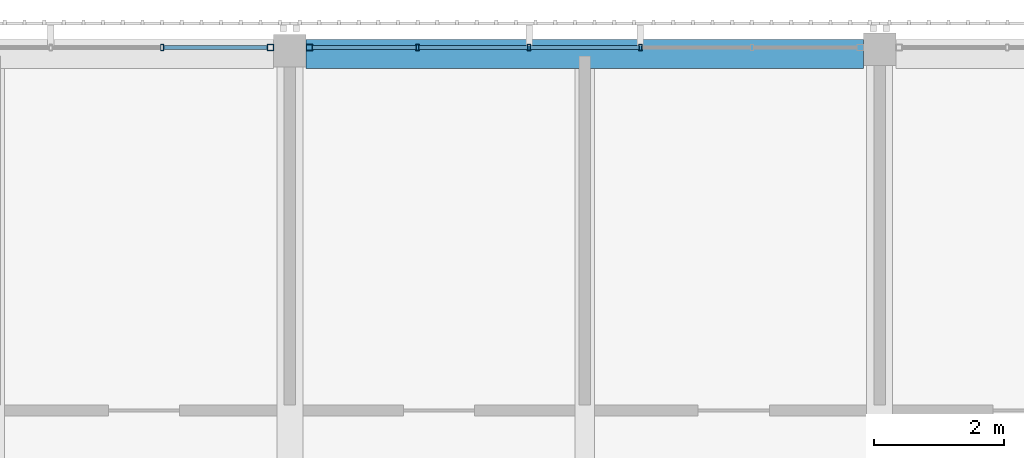
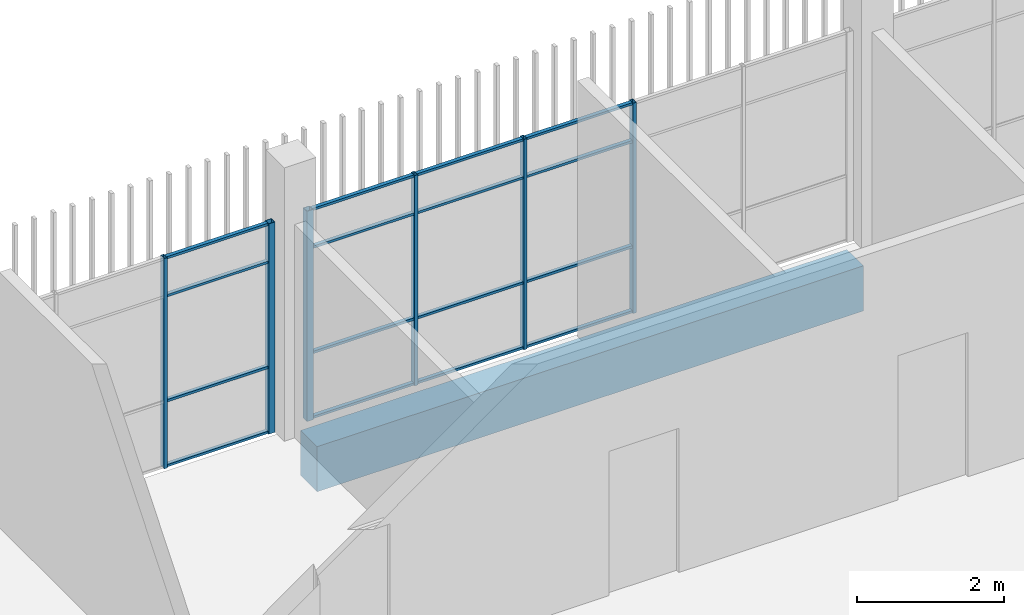
# One storey, part 43 of 124: 22 members, 1 beam, 2 elements without a shape of their own.
"""IFC4 building model written with IfcOpenShell, lengths in metres."""

import ifcopenshell
import ifcopenshell.guid

model = None  # the IFC model being written
_history = None  # IfcOwnerHistory: only IFC2X3 demands one
_inside = {}  # id of a spatial element -> (the spatial element, [elements in it])
_under = {}  # id of a project, library or spatial element -> (it, [spatial elements below it])
_declared = {}  # id of a project -> (the project, [libraries it declares])
_typed = {}  # id of a type object -> (the type object, [elements of that type])
_made_of = {}  # id of a material, layer set ... -> (it, [elements and type objects made of it])


def new_model(schema):
    """Start an empty IFC model of exactly this schema.

    Asked for "IFC4X3", IfcOpenShell would pick the latest addendum, in which some entities
    have other attributes; the version numbers below select the first issue.
    IFC2X3 requires an IfcOwnerHistory on every rooted entity: one is made here for all.
    """
    global model, _history
    if schema == "IFC4X3":
        model = ifcopenshell.file(schema_version=(4, 3, 0, 0))
    else:
        model = ifcopenshell.file(schema=schema)
    _inside.clear()
    _under.clear()
    _declared.clear()
    _typed.clear()
    _made_of.clear()
    _history = None
    if model.schema == "IFC2X3":
        org = make("IfcOrganization", Name="unknown")
        user = make(
            "IfcPersonAndOrganization",
            ThePerson=make("IfcPerson", FamilyName="unknown"),
            TheOrganization=org,
        )
        app = make(
            "IfcApplication",
            ApplicationDeveloper=org,
            Version="unknown",
            ApplicationFullName="unknown",
            ApplicationIdentifier="unknown",
        )
        _history = make(
            "IfcOwnerHistory",
            OwningUser=user,
            OwningApplication=app,
            ChangeAction="ADDED",
            CreationDate=0,
        )
    return model


def make(cls, **values):
    """One entity of the class cls with the attributes given. An attribute that is None is left unset."""
    return model.create_entity(
        cls, **{name: value for name, value in values.items() if value is not None}
    )


def rooted(cls, **values):
    """An entity with a GlobalId (a new one), such as an element, a storey or a relation."""
    return make(cls, GlobalId=ifcopenshell.guid.new(), OwnerHistory=_history, **values)


def si_unit(unit_type, name, prefix=None):
    """IfcSIUnit, for example si_unit("LENGTHUNIT", "METRE", prefix="MILLI")."""
    return make("IfcSIUnit", UnitType=unit_type, Prefix=prefix, Name=name)


def assignment(units):
    """IfcUnitAssignment: the units of a project."""
    return None if units is None else make("IfcUnitAssignment", Units=units)


def point(xyz):
    """IfcCartesianPoint."""
    return None if xyz is None else make("IfcCartesianPoint", Coordinates=xyz)


def direction(xyz):
    """IfcDirection."""
    return None if xyz is None else make("IfcDirection", DirectionRatios=xyz)


def frame(location, z_axis=None, x_axis=None):
    """IfcAxis2Placement3D, a coordinate frame: its origin and axes. An axis left out is left unset."""
    return make(
        "IfcAxis2Placement3D",
        Location=point(location),
        Axis=direction(z_axis),
        RefDirection=direction(x_axis),
    )


def frame_2d(location, x_axis=None):
    """IfcAxis2Placement2D, a coordinate frame in the plane: its origin and x axis."""
    return make(
        "IfcAxis2Placement2D", Location=point(location), RefDirection=direction(x_axis)
    )


def origin():
    """The frame at (0, 0, 0) with its axes left unset."""
    return frame((0.0, 0.0, 0.0))


def origin_2d():
    """The frame at (0, 0) in the plane with its x axis left unset."""
    return frame_2d((0.0, 0.0))


def place(relative_to, where):
    """IfcLocalPlacement: puts the frame where relative to a parent placement (None: the world)."""
    return make(
        "IfcLocalPlacement", PlacementRelTo=relative_to, RelativePlacement=where
    )


def context(
    kind, dimensions, precision=None, world=None, true_north=None, identifier=None
):
    """IfcGeometricRepresentationContext, for example the 3D "Model" context."""
    return make(
        "IfcGeometricRepresentationContext",
        ContextIdentifier=identifier,
        ContextType=kind,
        CoordinateSpaceDimension=dimensions,
        Precision=precision,
        WorldCoordinateSystem=world,
        TrueNorth=true_north,
    )


def subcontext(parent, identifier, kind, view, scale=None):
    """IfcGeometricRepresentationSubContext, for example "Body" below "Model"."""
    return make(
        "IfcGeometricRepresentationSubContext",
        ContextIdentifier=identifier,
        ContextType=kind,
        ParentContext=parent,
        TargetScale=scale,
        TargetView=view,
    )


def project(units=None, contexts=None):
    """IfcProject with its units and contexts."""
    return rooted(
        "IfcProject",
        Name="project",
        RepresentationContexts=contexts,
        UnitsInContext=assignment(units),
    )


def spatial(cls, under=None, at=None, **own):
    """A site, building, storey or space (cls), placed at a placement, below another one or the project."""
    s = rooted(cls, ObjectPlacement=at, **own)
    if under is not None:
        _under.setdefault(under.id(), (under, []))[1].append(s)
    return s


def profile(cls, at=None, kind="AREA", **sizes):
    """A parametric profile (cls). Its sizes go by their IFC names, for example OverallWidth=200.0."""
    return make(cls, ProfileType=kind, Position=at, **sizes)


def rectangle(**sizes):
    """IfcRectangleProfileDef."""
    return profile("IfcRectangleProfileDef", **sizes)


def hollow_rectangle(**sizes):
    """IfcRectangleHollowProfileDef."""
    return profile("IfcRectangleHollowProfileDef", **sizes)


def extrude(swept, where, along, depth):
    """IfcExtrudedAreaSolid: the profile swept, set in the frame where, extruded along a direction by depth."""
    return make(
        "IfcExtrudedAreaSolid",
        SweptArea=swept,
        Position=where,
        ExtrudedDirection=direction(along),
        Depth=depth,
    )


def shape(context_of_items, identifier, shape_type, items):
    """IfcShapeRepresentation: the items that make up one representation, for example the "Body"."""
    return make(
        "IfcShapeRepresentation",
        ContextOfItems=context_of_items,
        RepresentationIdentifier=identifier,
        RepresentationType=shape_type,
        Items=items,
    )


def material(Name=None, Category=None):
    """IfcMaterial."""
    return make("IfcMaterial", Name=Name, Category=Category)


def layer(
    of_material, thickness, ventilated=None, Name=None, Category=None, Priority=None
):
    """IfcMaterialLayer: one layer of a wall or slab, of a material (None: an air gap)."""
    return make(
        "IfcMaterialLayer",
        Material=of_material,
        LayerThickness=thickness,
        IsVentilated=ventilated,
        Name=Name,
        Category=Category,
        Priority=Priority,
    )


def layer_set(layers, Name=None):
    """IfcMaterialLayerSet."""
    return make("IfcMaterialLayerSet", MaterialLayers=layers, LayerSetName=Name)


def material_profile(
    of_material, cross_section, Name=None, Category=None, Priority=None
):
    """IfcMaterialProfile: a cross section and its material."""
    return make(
        "IfcMaterialProfile",
        Name=Name,
        Material=of_material,
        Profile=cross_section,
        Priority=Priority,
        Category=Category,
    )


def profile_set(profiles, Name=None, composite=None):
    """IfcMaterialProfileSet."""
    return make(
        "IfcMaterialProfileSet",
        Name=Name,
        MaterialProfiles=profiles,
        CompositeProfile=composite,
    )


def made_of(thing, what):
    """Note that an element or type object is made of a material, layer set ...; save() writes the relation."""
    if what is not None:
        _made_of.setdefault(what.id(), (what, []))[1].append(thing)
    return thing


def type_object(cls, material=None, **own):
    """A type object (cls), such as IfcWallType, which elements share."""
    return made_of(rooted(cls, **own), material)


def element(
    cls,
    number,
    at=None,
    inside=None,
    cuts=None,
    type_object=None,
    material=None,
    context=None,
    identifier="Body",
    shape_type=None,
    held_by="IfcProductDefinitionShape",
    body=None,
    shapes=None,
    **own,
):
    """One element of the class cls, such as IfcWall. Its Tag is "e" and its number.

    at: its placement. inside: the storey or other place that contains it. cuts: it is an
    opening in that element (IfcRelVoidsElement). A single representation is given by context,
    identifier, shape_type and body (its items); several are given by shapes. held_by: the class
    of the entity that holds the representations. save() writes the other relations.
    """
    e = rooted(cls, Tag="e%d" % number, ObjectPlacement=at, **own)
    if body is not None:
        shapes = [shape(context, identifier, shape_type, body)]
    if shapes is not None:
        e.Representation = make(held_by, Representations=shapes)
    if inside is not None:
        _inside.setdefault(inside.id(), (inside, []))[1].append(e)
    if cuts is not None:
        rooted(
            "IfcRelVoidsElement", RelatingBuildingElement=cuts, RelatedOpeningElement=e
        )
    if type_object is not None:
        _typed.setdefault(type_object.id(), (type_object, []))[1].append(e)
    return made_of(e, material)


def aggregate(whole, parts):
    """IfcRelAggregates: a whole, such as a stair, and the parts it consists of."""
    return rooted("IfcRelAggregates", RelatingObject=whole, RelatedObjects=parts)


def save(model, path):
    """Write the relations noted so far, then the file.

    IfcRelAggregates (storeys below a building ...), IfcRelContainedInSpatialStructure (elements
    in a storey), IfcRelDefinesByType, IfcRelAssociatesMaterial and IfcRelDeclares: one each for
    every whole, place, type object, material and project.
    """
    for whole, parts in _under.values():
        aggregate(whole, parts)
    for where, things in _inside.values():
        rooted(
            "IfcRelContainedInSpatialStructure",
            RelatedElements=things,
            RelatingStructure=where,
        )
    for kind, things in _typed.values():
        rooted("IfcRelDefinesByType", RelatedObjects=things, RelatingType=kind)
    for what, things in _made_of.values():
        rooted("IfcRelAssociatesMaterial", RelatedObjects=things, RelatingMaterial=what)
    for by, libraries in _declared.values():
        rooted("IfcRelDeclares", RelatingContext=by, RelatedDefinitions=libraries)
    model.write(path)


model = new_model("IFC4")

# Units and contexts
model_context = context("Model", 3, precision=1e-05, world=origin(), true_north=direction((0.0, 1.0)))
body_context = subcontext(model_context, "Body", "Model", "MODEL_VIEW")
ifc_project = project(units=[si_unit("LENGTHUNIT", "METRE"), si_unit("AREAUNIT", "SQUARE_METRE"), si_unit("VOLUMEUNIT", "CUBIC_METRE"), si_unit("PLANEANGLEUNIT", "RADIAN"), si_unit("MASSUNIT", "GRAM", prefix="KILO")], contexts=[model_context])

# Site, building, storey
site_placement = place(None, origin())
site = spatial("IfcSite", under=ifc_project, at=site_placement, CompositionType="ELEMENT")
building_placement = place(site_placement, origin())
building = spatial("IfcBuilding", under=site, at=building_placement, Name="Shirokan Park Arena", CompositionType="ELEMENT")
storey_placement = place(building_placement, frame((0.0, 0.0, 20.02001953125)))
storey = spatial("IfcBuildingStorey", under=building, at=storey_placement, Name="L04", CompositionType="ELEMENT", Elevation=20.02001953125)

# Curtain wall, member
ifc_material_1 = material(Name="Steel and glass curtain wall", Category="steel")
ifc_layer = layer(ifc_material_1, 0.10009765625)
ifc_layer_set = layer_set([ifc_layer], Name="Steel and glass curtain wall 100 mm")
curtain_wall_type = type_object("IfcCurtainWallType", Name="Curtain wall sheltered bay 100", PredefinedType="NOTDEFINED", material=ifc_layer_set)
curtain_wall_1_placement = place(storey_placement, origin())
curtain_wall_1 = element("IfcCurtainWall", 1, at=curtain_wall_1_placement, inside=storey, type_object=curtain_wall_type, Name="Curtain wall north bay 7 L04", PredefinedType="NOTDEFINED")
ifc_material_2 = material(Name="Steel S355", Category="steel")
ifc_material_profile_1 = material_profile(ifc_material_2, hollow_rectangle(XDim=0.10009765625, YDim=0.10009765625, WallThickness=0.006103515625, at=origin_2d()), Name="RHS 100x100x6")
ifc_profile_set_1 = profile_set([ifc_material_profile_1], Name="Steel S355")
member_type_1 = type_object("IfcMemberType", Name="Mullion RHS 100x100x6", PredefinedType="MULLION", material=ifc_profile_set_1)
member_1_placement = place(storey_placement, frame((82.199951171875, 109.300048828125, 0.0), z_axis=(0.0, 0.0, 1.0), x_axis=(0.0, -1.0, 0.0)))
member_1 = element("IfcMember", 2, at=member_1_placement, type_object=member_type_1, Name="CW2 mullion 6", PredefinedType="MULLION", context=body_context, shape_type="SweptSolid", body=[
    extrude(hollow_rectangle(XDim=0.10009765625, YDim=0.10009765625, WallThickness=0.006103515625, at=origin_2d()), origin(), (0.0, 0.0, 1.0), 3.5),
])

curtain_wall_2_placement = place(storey_placement, origin())
curtain_wall_2 = element("IfcCurtainWall", 3, at=curtain_wall_2_placement, inside=storey, type_object=curtain_wall_type, Name="Curtain wall north bay 8 L04", PredefinedType="NOTDEFINED")
member_2_placement = place(storey_placement, frame((81.60009765625, 109.300048828125, 0.0), z_axis=(0.0, 0.0, 1.0), x_axis=(0.0, -1.0, 0.0)))
member_2 = element("IfcMember", 4, at=member_2_placement, type_object=member_type_1, Name="CW2 mullion 1", PredefinedType="MULLION", context=body_context, shape_type="SweptSolid", body=[
    extrude(hollow_rectangle(XDim=0.10009765625, YDim=0.10009765625, WallThickness=0.006103515625, at=origin_2d()), origin(), (0.0, 0.0, 1.0), 3.5),
])

# Member
ifc_material_profile_2 = material_profile(ifc_material_2, hollow_rectangle(XDim=0.10009765625, YDim=0.050048828125, WallThickness=0.0048828125, at=origin_2d()), Name="RHS 100x50x5")
ifc_profile_set_2 = profile_set([ifc_material_profile_2], Name="Steel S355")
member_type_2 = type_object("IfcMemberType", Name="Mullion RHS 100x50x5", PredefinedType="MULLION", material=ifc_profile_set_2)
member_3_placement = place(storey_placement, frame((87.31005859375, 109.300048828125, 0.0), z_axis=(0.0, 0.0, 1.0), x_axis=(0.0, -1.0, 0.0)))
member_3 = element("IfcMember", 5, at=member_3_placement, type_object=member_type_2, Name="CW2 mullion 3", PredefinedType="MULLION", context=body_context, shape_type="SweptSolid", body=[
    extrude(hollow_rectangle(XDim=0.10009765625, YDim=0.050048828125, WallThickness=0.0048828125, at=origin_2d()), origin(), (0.0, 0.0, 1.0), 3.5),
])

member_4_placement = place(storey_placement, frame((85.590087890625, 109.300048828125, 0.0), z_axis=(0.0, 0.0, 1.0), x_axis=(0.0, -1.0, 0.0)))
member_4 = element("IfcMember", 6, at=member_4_placement, type_object=member_type_2, Name="CW2 mullion 4", PredefinedType="MULLION", context=body_context, shape_type="SweptSolid", body=[
    extrude(hollow_rectangle(XDim=0.10009765625, YDim=0.050048828125, WallThickness=0.0048828125, at=origin_2d()), origin(), (0.0, 0.0, 1.0), 3.5),
])

member_5_placement = place(storey_placement, frame((83.8701171875, 109.300048828125, 0.0), z_axis=(0.0, 0.0, 1.0), x_axis=(0.0, -1.0, 0.0)))
member_5 = element("IfcMember", 7, at=member_5_placement, type_object=member_type_2, Name="CW2 mullion 5", PredefinedType="MULLION", context=body_context, shape_type="SweptSolid", body=[
    extrude(hollow_rectangle(XDim=0.10009765625, YDim=0.050048828125, WallThickness=0.0048828125, at=origin_2d()), origin(), (0.0, 0.0, 1.0), 3.5),
])

member_6_placement = place(storey_placement, frame((79.929931640625, 109.300048828125, 0.0), z_axis=(0.0, 0.0, 1.0), x_axis=(0.0, -1.0, 0.0)))
member_6 = element("IfcMember", 8, at=member_6_placement, type_object=member_type_2, Name="CW2 mullion 2", PredefinedType="MULLION", context=body_context, shape_type="SweptSolid", body=[
    extrude(hollow_rectangle(XDim=0.10009765625, YDim=0.050048828125, WallThickness=0.0048828125, at=origin_2d()), origin(), (0.0, 0.0, 1.0), 3.5),
])

# Beam
ifc_material_3 = material(Name="Concrete C35", Category="concrete")
ifc_material_profile_3 = material_profile(ifc_material_3, rectangle(XDim=0.449951171875, YDim=0.75, at=origin_2d()), Name="450x750")
ifc_profile_set_3 = profile_set([ifc_material_profile_3], Name="Concrete C35")
beam_type = type_object("IfcBeamType", Name="RC girder 450x750", PredefinedType="BEAM", material=ifc_profile_set_3)
beam_placement = place(storey_placement, frame((82.150146484375, 109.199951171875, -0.625), z_axis=(1.0, 0.0, 0.0), x_axis=(0.0, 1.0, 0.0)))
element("IfcBeam", 9, at=beam_placement, inside=storey, type_object=beam_type, Name="Girder 10N-11N L04", PredefinedType="BEAM", context=body_context, shape_type="SweptSolid", body=[
    extrude(rectangle(XDim=0.449951171875, YDim=0.75, at=origin_2d()), origin(), (0.0, 0.0, 1.0), 8.599853515625),
])

# Member
ifc_material_profile_4 = material_profile(ifc_material_2, hollow_rectangle(XDim=0.06005859375, YDim=0.0400390625, WallThickness=0.00390625, at=origin_2d()), Name="RHS 60x40x4")
ifc_profile_set_4 = profile_set([ifc_material_profile_4], Name="Steel S355")
member_type_3 = type_object("IfcMemberType", Name="Transom RHS 60x40x4", PredefinedType="MULLION", material=ifc_profile_set_4)
member_7_placement = place(storey_placement, frame((87.284912109375, 109.300048828125, 0.02001953125), z_axis=(-1.0, 0.0, 0.0), x_axis=(0.0, -1.0, 0.0)))
member_7 = element("IfcMember", 10, at=member_7_placement, type_object=member_type_3, Name="CW2 transom 3.1", PredefinedType="MULLION", context=body_context, shape_type="SweptSolid", body=[
    extrude(hollow_rectangle(XDim=0.06005859375, YDim=0.0400390625, WallThickness=0.00390625, at=origin_2d()), origin(), (0.0, 0.0, 1.0), 1.669921875),
])

member_8_placement = place(storey_placement, frame((87.284912109375, 109.300048828125, 1.10009765625), z_axis=(-1.0, 0.0, 0.0), x_axis=(0.0, -1.0, 0.0)))
member_8 = element("IfcMember", 11, at=member_8_placement, type_object=member_type_3, Name="CW2 transom 3.2", PredefinedType="MULLION", context=body_context, shape_type="SweptSolid", body=[
    extrude(hollow_rectangle(XDim=0.06005859375, YDim=0.0400390625, WallThickness=0.00390625, at=origin_2d()), origin(), (0.0, 0.0, 1.0), 1.669921875),
])

member_9_placement = place(storey_placement, frame((87.284912109375, 109.300048828125, 2.85009765625), z_axis=(-1.0, 0.0, 0.0), x_axis=(0.0, -1.0, 0.0)))
member_9 = element("IfcMember", 12, at=member_9_placement, type_object=member_type_3, Name="CW2 transom 3.3", PredefinedType="MULLION", context=body_context, shape_type="SweptSolid", body=[
    extrude(hollow_rectangle(XDim=0.06005859375, YDim=0.0400390625, WallThickness=0.00390625, at=origin_2d()), origin(), (0.0, 0.0, 1.0), 1.669921875),
])

member_10_placement = place(storey_placement, frame((87.284912109375, 109.300048828125, 3.47998046875), z_axis=(-1.0, 0.0, 0.0), x_axis=(0.0, -1.0, 0.0)))
member_10 = element("IfcMember", 13, at=member_10_placement, type_object=member_type_3, Name="CW2 transom 3.4", PredefinedType="MULLION", context=body_context, shape_type="SweptSolid", body=[
    extrude(hollow_rectangle(XDim=0.06005859375, YDim=0.0400390625, WallThickness=0.00390625, at=origin_2d()), origin(), (0.0, 0.0, 1.0), 1.669921875),
])

member_11_placement = place(storey_placement, frame((85.56494140625, 109.300048828125, 0.02001953125), z_axis=(-1.0, 0.0, 0.0), x_axis=(0.0, -1.0, 0.0)))
member_11 = element("IfcMember", 14, at=member_11_placement, type_object=member_type_3, Name="CW2 transom 4.1", PredefinedType="MULLION", context=body_context, shape_type="SweptSolid", body=[
    extrude(hollow_rectangle(XDim=0.06005859375, YDim=0.0400390625, WallThickness=0.00390625, at=origin_2d()), origin(), (0.0, 0.0, 1.0), 1.669921875),
])

member_12_placement = place(storey_placement, frame((85.56494140625, 109.300048828125, 1.10009765625), z_axis=(-1.0, 0.0, 0.0), x_axis=(0.0, -1.0, 0.0)))
member_12 = element("IfcMember", 15, at=member_12_placement, type_object=member_type_3, Name="CW2 transom 4.2", PredefinedType="MULLION", context=body_context, shape_type="SweptSolid", body=[
    extrude(hollow_rectangle(XDim=0.06005859375, YDim=0.0400390625, WallThickness=0.00390625, at=origin_2d()), origin(), (0.0, 0.0, 1.0), 1.669921875),
])

member_13_placement = place(storey_placement, frame((85.56494140625, 109.300048828125, 2.85009765625), z_axis=(-1.0, 0.0, 0.0), x_axis=(0.0, -1.0, 0.0)))
member_13 = element("IfcMember", 16, at=member_13_placement, type_object=member_type_3, Name="CW2 transom 4.3", PredefinedType="MULLION", context=body_context, shape_type="SweptSolid", body=[
    extrude(hollow_rectangle(XDim=0.06005859375, YDim=0.0400390625, WallThickness=0.00390625, at=origin_2d()), origin(), (0.0, 0.0, 1.0), 1.669921875),
])

member_14_placement = place(storey_placement, frame((85.56494140625, 109.300048828125, 3.47998046875), z_axis=(-1.0, 0.0, 0.0), x_axis=(0.0, -1.0, 0.0)))
member_14 = element("IfcMember", 17, at=member_14_placement, type_object=member_type_3, Name="CW2 transom 4.4", PredefinedType="MULLION", context=body_context, shape_type="SweptSolid", body=[
    extrude(hollow_rectangle(XDim=0.06005859375, YDim=0.0400390625, WallThickness=0.00390625, at=origin_2d()), origin(), (0.0, 0.0, 1.0), 1.669921875),
])

member_15_placement = place(storey_placement, frame((83.844970703125, 109.300048828125, 0.02001953125), z_axis=(-1.0, 0.0, 0.0), x_axis=(0.0, -1.0, 0.0)))
member_15 = element("IfcMember", 18, at=member_15_placement, type_object=member_type_3, Name="CW2 transom 5.1", PredefinedType="MULLION", context=body_context, shape_type="SweptSolid", body=[
    extrude(hollow_rectangle(XDim=0.06005859375, YDim=0.0400390625, WallThickness=0.00390625, at=origin_2d()), origin(), (0.0, 0.0, 1.0), 1.594970703125),
])

member_16_placement = place(storey_placement, frame((83.844970703125, 109.300048828125, 1.10009765625), z_axis=(-1.0, 0.0, 0.0), x_axis=(0.0, -1.0, 0.0)))
member_16 = element("IfcMember", 19, at=member_16_placement, type_object=member_type_3, Name="CW2 transom 5.2", PredefinedType="MULLION", context=body_context, shape_type="SweptSolid", body=[
    extrude(hollow_rectangle(XDim=0.06005859375, YDim=0.0400390625, WallThickness=0.00390625, at=origin_2d()), origin(), (0.0, 0.0, 1.0), 1.594970703125),
])

member_17_placement = place(storey_placement, frame((83.844970703125, 109.300048828125, 2.85009765625), z_axis=(-1.0, 0.0, 0.0), x_axis=(0.0, -1.0, 0.0)))
member_17 = element("IfcMember", 20, at=member_17_placement, type_object=member_type_3, Name="CW2 transom 5.3", PredefinedType="MULLION", context=body_context, shape_type="SweptSolid", body=[
    extrude(hollow_rectangle(XDim=0.06005859375, YDim=0.0400390625, WallThickness=0.00390625, at=origin_2d()), origin(), (0.0, 0.0, 1.0), 1.594970703125),
])

member_18_placement = place(storey_placement, frame((83.844970703125, 109.300048828125, 3.47998046875), z_axis=(-1.0, 0.0, 0.0), x_axis=(0.0, -1.0, 0.0)))
member_18 = element("IfcMember", 21, at=member_18_placement, type_object=member_type_3, Name="CW2 transom 5.4", PredefinedType="MULLION", context=body_context, shape_type="SweptSolid", body=[
    extrude(hollow_rectangle(XDim=0.06005859375, YDim=0.0400390625, WallThickness=0.00390625, at=origin_2d()), origin(), (0.0, 0.0, 1.0), 1.594970703125),
])

aggregate(curtain_wall_1, [member_3, member_4, member_5, member_1, member_7, member_8, member_9, member_10, member_11, member_12, member_13, member_14, member_15, member_16, member_17, member_18])

member_19_placement = place(storey_placement, frame((81.550048828125, 109.300048828125, 0.02001953125), z_axis=(-1.0, 0.0, 0.0), x_axis=(0.0, -1.0, 0.0)))
member_19 = element("IfcMember", 22, at=member_19_placement, type_object=member_type_3, Name="CW2 transom 1.1", PredefinedType="MULLION", context=body_context, shape_type="SweptSolid", body=[
    extrude(hollow_rectangle(XDim=0.06005859375, YDim=0.0400390625, WallThickness=0.00390625, at=origin_2d()), origin(), (0.0, 0.0, 1.0), 1.594970703125),
])

member_20_placement = place(storey_placement, frame((81.550048828125, 109.300048828125, 1.10009765625), z_axis=(-1.0, 0.0, 0.0), x_axis=(0.0, -1.0, 0.0)))
member_20 = element("IfcMember", 23, at=member_20_placement, type_object=member_type_3, Name="CW2 transom 1.2", PredefinedType="MULLION", context=body_context, shape_type="SweptSolid", body=[
    extrude(hollow_rectangle(XDim=0.06005859375, YDim=0.0400390625, WallThickness=0.00390625, at=origin_2d()), origin(), (0.0, 0.0, 1.0), 1.594970703125),
])

member_21_placement = place(storey_placement, frame((81.550048828125, 109.300048828125, 2.85009765625), z_axis=(-1.0, 0.0, 0.0), x_axis=(0.0, -1.0, 0.0)))
member_21 = element("IfcMember", 24, at=member_21_placement, type_object=member_type_3, Name="CW2 transom 1.3", PredefinedType="MULLION", context=body_context, shape_type="SweptSolid", body=[
    extrude(hollow_rectangle(XDim=0.06005859375, YDim=0.0400390625, WallThickness=0.00390625, at=origin_2d()), origin(), (0.0, 0.0, 1.0), 1.594970703125),
])

member_22_placement = place(storey_placement, frame((81.550048828125, 109.300048828125, 3.47998046875), z_axis=(-1.0, 0.0, 0.0), x_axis=(0.0, -1.0, 0.0)))
member_22 = element("IfcMember", 25, at=member_22_placement, type_object=member_type_3, Name="CW2 transom 1.4", PredefinedType="MULLION", context=body_context, shape_type="SweptSolid", body=[
    extrude(hollow_rectangle(XDim=0.06005859375, YDim=0.0400390625, WallThickness=0.00390625, at=origin_2d()), origin(), (0.0, 0.0, 1.0), 1.594970703125),
])

aggregate(curtain_wall_2, [member_2, member_6, member_19, member_20, member_21, member_22])

save(model, "model.ifc")
